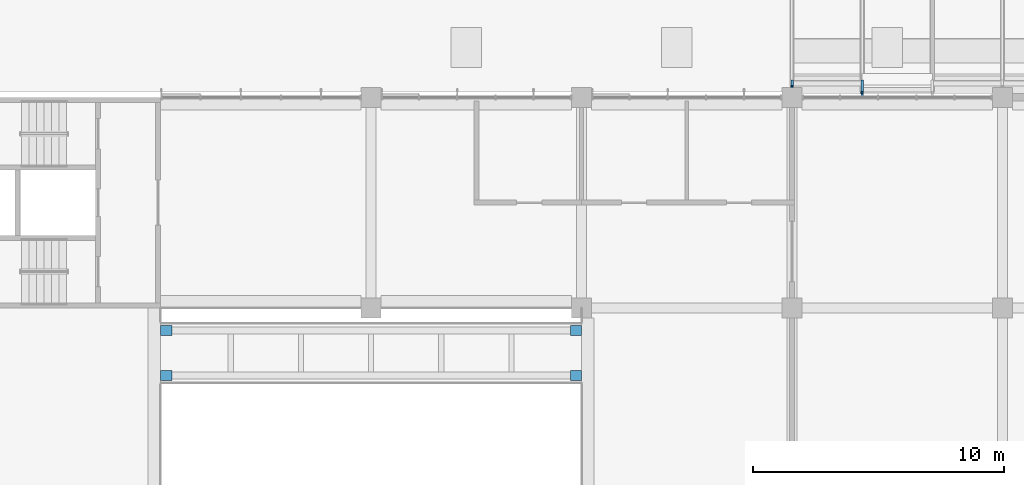
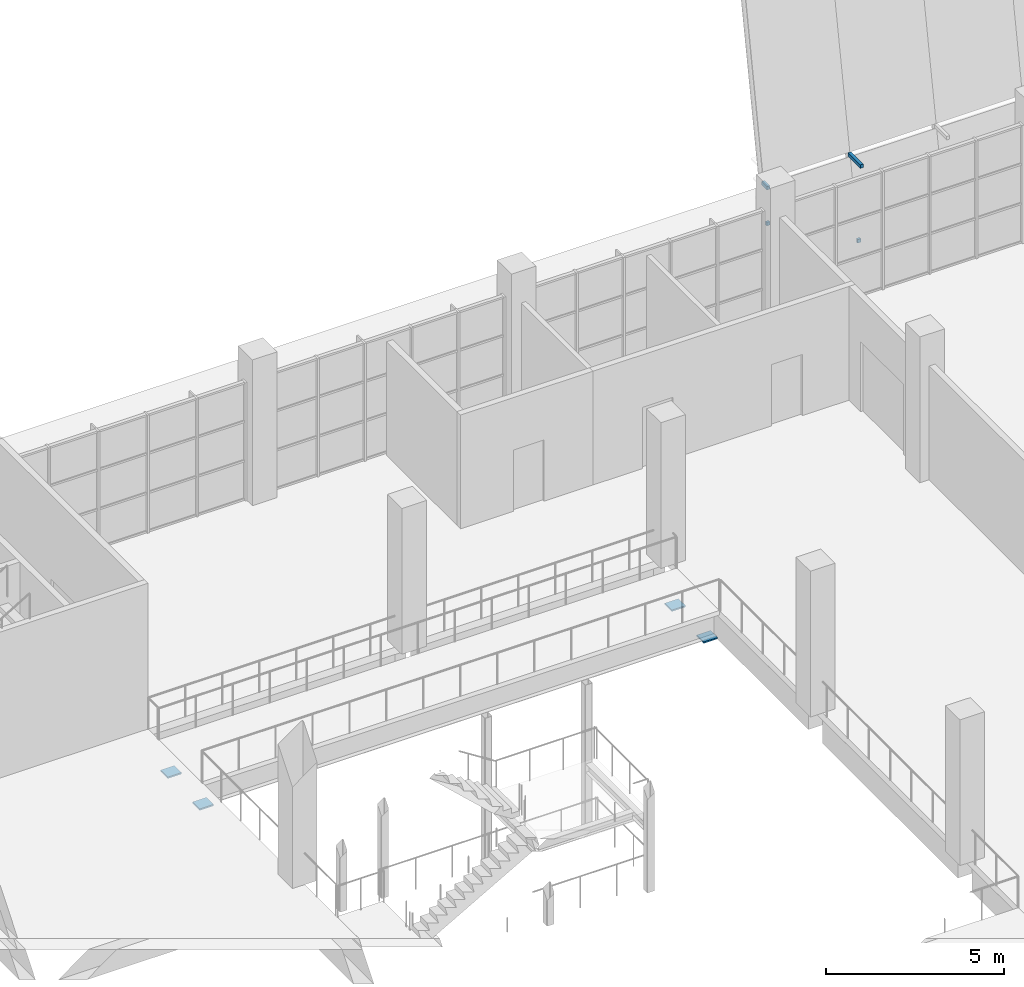
# One storey, part 53 of 101: 8 discrete accessories.
"""IFC4 building model written with IfcOpenShell, lengths in metres."""

from ifc_helpers import new_model, si_unit, direction, frame, origin, origin_2d, place, context, subcontext, project, spatial, rectangle, extrude, material, type_object, element, save


model = new_model("IFC4")

# Units and contexts
model_context = context("Model", 3, precision=1e-05, world=origin(), true_north=direction((0.0, 1.0)))
body_context = subcontext(model_context, "Body", "Model", "MODEL_VIEW")
ifc_project = project(units=[si_unit("LENGTHUNIT", "METRE"), si_unit("AREAUNIT", "SQUARE_METRE"), si_unit("VOLUMEUNIT", "CUBIC_METRE"), si_unit("PLANEANGLEUNIT", "RADIAN"), si_unit("MASSUNIT", "GRAM", prefix="KILO")], contexts=[model_context])

# Site, building, storey
site_placement = place(None, origin())
site = spatial("IfcSite", under=ifc_project, at=site_placement, CompositionType="ELEMENT")
building_placement = place(site_placement, origin())
building = spatial("IfcBuilding", under=site, at=building_placement, Name="Almond Square Museum", CompositionType="ELEMENT")
storey_placement = place(building_placement, frame((0.0, 0.0, 5.5)))
storey = spatial("IfcBuildingStorey", under=building, at=storey_placement, Name="L01", CompositionType="ELEMENT", Elevation=5.5)

# Discrete accessories
ifc_material_1 = material(Name="Structural steel S355", Category="steel")
discrete_accessory_type_1 = type_object("IfcDiscreteAccessoryType", Name="Bridge girder seat bracket", PredefinedType="BRACKET", material=ifc_material_1)
for number, where, z_axis, x_axis, name in (
    (1, (81.824951171875, 98.10009765625, -1.03515625), (0.0, 0.0, 1.0), (1.0, 0.0, 0.0), "Bridge 2 girder seat bracket (fixed end)"),
    (2, (98.175048828125, 98.10009765625, -1.03515625), (0.0, 0.0, 1.0), (1.0, 0.0, 0.0), "Bridge 2 girder seat bracket (sliding end)"),
    (3, (81.824951171875, 99.89990234375, -1.03515625), (0.0, 0.0, 1.0), (1.0, 0.0, 0.0), "Bridge 2 girder seat bracket (fixed end)"),
    (4, (98.175048828125, 99.89990234375, -1.03515625), (0.0, 0.0, 1.0), (1.0, 0.0, 0.0), "Bridge 2 girder seat bracket (sliding end)"),
):
    element("IfcDiscreteAccessory", number, at=place(storey_placement, frame(where, z_axis=z_axis, x_axis=x_axis)), inside=storey, type_object=discrete_accessory_type_1, Name=name, PredefinedType="BRACKET", context=body_context, shape_type="SweptSolid", body=[
        extrude(rectangle(XDim=0.449951171875, YDim=0.39990234375, at=origin_2d()), origin(), (0.0, 0.0, 1.0), 0.050048828125),
    ])
ifc_material_2 = material(Name="Stainless steel", Category="steel")
discrete_accessory_type_2 = type_object("IfcDiscreteAccessoryType", Name="Louvre post bracket", PredefinedType="BRACKET", material=ifc_material_2)
discrete_accessory_1_placement = place(storey_placement, frame((106.800048828125, 109.636474609375, 3.1064453125), z_axis=(0.0, 0.0, 1.0), x_axis=(1.0, 0.0, 0.0)))
element("IfcDiscreteAccessory", 5, at=discrete_accessory_1_placement, inside=storey, type_object=discrete_accessory_type_2, Name="Bracket louvre post", PredefinedType="BRACKET", context=body_context, shape_type="SweptSolid", body=[
    extrude(rectangle(XDim=0.10009765625, YDim=0.076904296875, at=origin_2d()), origin(), (0.0, 0.0, 1.0), 0.1201171875),
])
discrete_accessory_2_placement = place(storey_placement, frame((106.800048828125, 109.7451171875, 4.33984375), z_axis=(0.0, 0.0, 1.0), x_axis=(1.0, 0.0, 0.0)))
element("IfcDiscreteAccessory", 6, at=discrete_accessory_2_placement, inside=storey, type_object=discrete_accessory_type_2, Name="Bracket louvre post", PredefinedType="BRACKET", context=body_context, shape_type="SweptSolid", body=[
    extrude(rectangle(XDim=0.10009765625, YDim=0.29443359375, at=origin_2d()), origin(), (0.0, 0.0, 1.0), 0.1201171875),
])
discrete_accessory_3_placement = place(storey_placement, frame((109.60009765625, 109.386474609375, 1.688720703125), z_axis=(0.0, 0.0, 1.0), x_axis=(1.0, 0.0, 0.0)))
element("IfcDiscreteAccessory", 7, at=discrete_accessory_3_placement, inside=storey, type_object=discrete_accessory_type_2, Name="Bracket louvre post", PredefinedType="BRACKET", context=body_context, shape_type="SweptSolid", body=[
    extrude(rectangle(XDim=0.10009765625, YDim=0.076904296875, at=origin_2d()), origin(), (0.0, 0.0, 1.0), 0.1201171875),
])
discrete_accessory_4_placement = place(storey_placement, frame((109.60009765625, 109.545166015625, 4.33984375), z_axis=(0.0, 0.0, 1.0), x_axis=(1.0, 0.0, 0.0)))
element("IfcDiscreteAccessory", 8, at=discrete_accessory_4_placement, inside=storey, type_object=discrete_accessory_type_2, Name="Bracket louvre post", PredefinedType="BRACKET", context=body_context, shape_type="SweptSolid", body=[
    extrude(rectangle(XDim=0.10009765625, YDim=0.6943359375, at=origin_2d()), origin(), (0.0, 0.0, 1.0), 0.1201171875),
])

save(model, "model.ifc")
